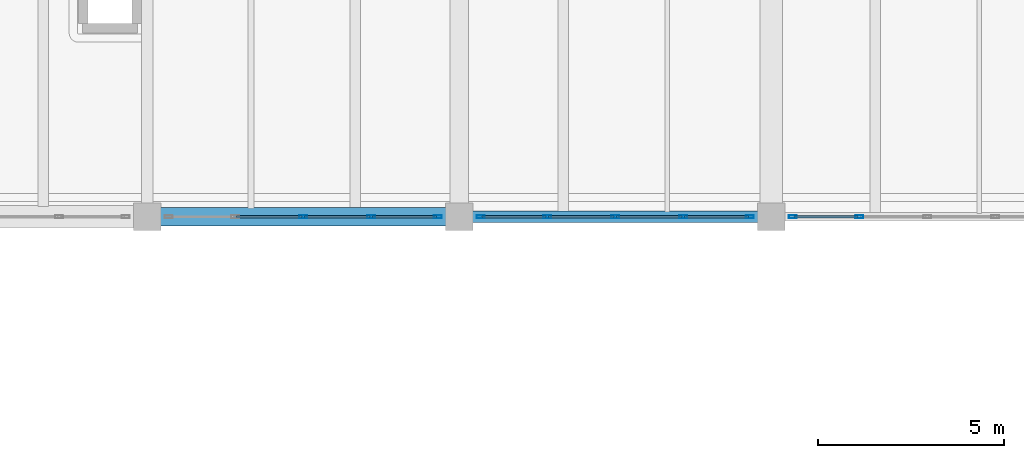
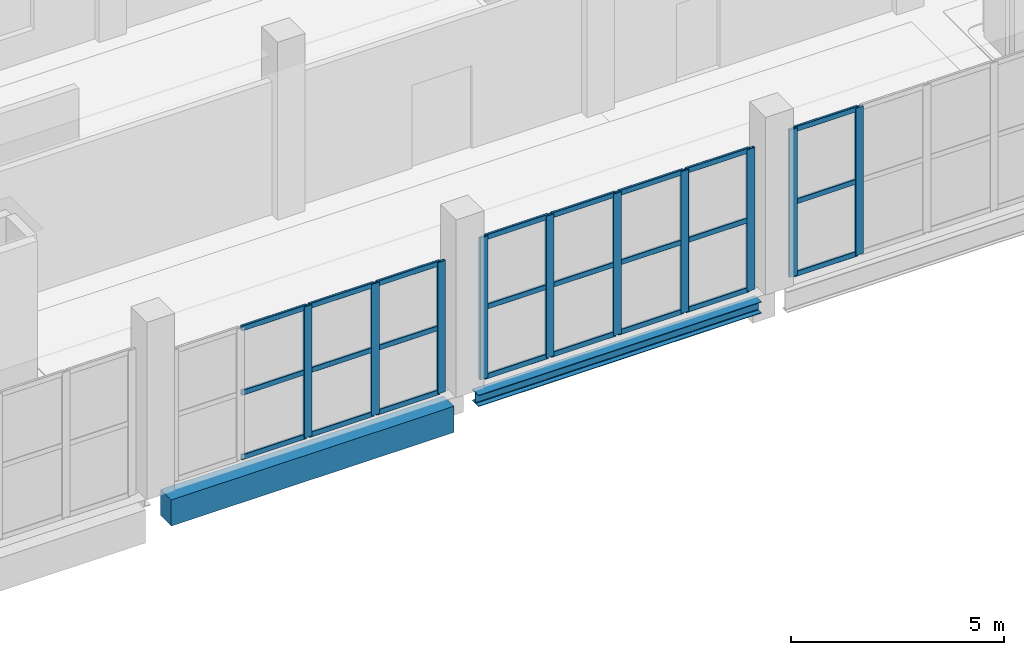
# One storey, part 20 of 66: 34 members, 2 beams, 3 elements without a shape of their own.
"""IFC4 building model written with IfcOpenShell, lengths in metres."""

from ifc_helpers import new_model, si_unit, direction, frame, origin, origin_2d, place, context, subcontext, project, spatial, rectangle, hollow_rectangle, i_section, extrude, material, layer, layer_set, material_profile, profile_set, type_object, element, aggregate, save


model = new_model("IFC4")

# Units and contexts
model_context = context("Model", 3, precision=1e-05, world=origin(), true_north=direction((0.0, 1.0)))
body_context = subcontext(model_context, "Body", "Model", "MODEL_VIEW")
ifc_project = project(units=[si_unit("LENGTHUNIT", "METRE"), si_unit("AREAUNIT", "SQUARE_METRE"), si_unit("VOLUMEUNIT", "CUBIC_METRE"), si_unit("PLANEANGLEUNIT", "RADIAN"), si_unit("MASSUNIT", "GRAM", prefix="KILO")], contexts=[model_context])

# Site, building, storey
site_placement = place(None, origin())
site = spatial("IfcSite", under=ifc_project, at=site_placement, CompositionType="ELEMENT")
building_placement = place(site_placement, origin())
building = spatial("IfcBuilding", under=site, at=building_placement, Name="Zulmaris Art Gallery", CompositionType="ELEMENT")
storey_placement = place(building_placement, frame((0.0, 0.0, 5.39990234375)))
storey = spatial("IfcBuildingStorey", under=building, at=storey_placement, Name="L01", CompositionType="ELEMENT", Elevation=5.39990234375)

# Beams
ifc_material_1 = material(Name="Steel S355J2", Category="steel")
ifc_material_profile_1 = material_profile(ifc_material_1, i_section(OverallWidth=0.300048828125, OverallDepth=0.330078125, WebThickness=0.009521484375, FlangeThickness=0.0166015625, FilletRadius=0.027099609375, at=origin_2d()), Name="HEA 340")
ifc_profile_set_1 = profile_set([ifc_material_profile_1], Name="Steel S355J2")
beam_type_1 = type_object("IfcBeamType", Name="BEAM-BM08", PredefinedType="BEAM", material=ifc_profile_set_1)
beam_1_placement = place(storey_placement, frame((108.360107421875, 58.800048828125, -0.494873046875), z_axis=(1.0, 0.0, 0.0), x_axis=(0.0, 1.0, 0.0)))
element("IfcBeam", 1, at=beam_1_placement, inside=storey, type_object=beam_type_1, Name="L01 X-girder (108.0..116.4, y=58.8)", PredefinedType="BEAM", context=body_context, shape_type="SweptSolid", body=[
    extrude(i_section(OverallWidth=0.300048828125, OverallDepth=0.330078125, WebThickness=0.009521484375, FlangeThickness=0.0166015625, FilletRadius=0.027099609375, at=origin_2d()), origin(), (0.0, 0.0, 1.0), 7.679931640625),
])
ifc_material_2 = material(Name="Concrete C40/50", Category="concrete")
ifc_material_profile_2 = material_profile(ifc_material_2, rectangle(XDim=0.5, YDim=0.75, at=origin_2d()), Name="RC 500x750")
ifc_profile_set_2 = profile_set([ifc_material_profile_2], Name="Concrete C40/50")
beam_type_2 = type_object("IfcBeamType", Name="BEAM-BM20", PredefinedType="BEAM", material=ifc_profile_set_2)
beam_2_placement = place(storey_placement, frame((99.9599609375, 58.800048828125, -0.704833984375), z_axis=(1.0, 0.0, 0.0), x_axis=(0.0, 1.0, 0.0)))
element("IfcBeam", 2, at=beam_2_placement, inside=storey, type_object=beam_type_2, Name="L01 X-girder (99.6..108.0, y=58.8)", PredefinedType="BEAM", context=body_context, shape_type="SweptSolid", body=[
    extrude(rectangle(XDim=0.5, YDim=0.75, at=origin_2d()), origin(), (0.0, 0.0, 1.0), 7.679931640625),
])

# Curtain wall, members
ifc_material_3 = material(Name="Unitised Low-E Gallery Curtain Wall", Category="aluminium")
ifc_layer = layer(ifc_material_3, 0.179931640625)
ifc_layer_set = layer_set([ifc_layer], Name="Unitised Low-E Gallery Curtain Wall")
curtain_wall_type = type_object("IfcCurtainWallType", Name="CW-CW01", PredefinedType="NOTDEFINED", material=ifc_layer_set)
curtain_wall_1_placement = place(storey_placement, origin())
curtain_wall_1 = element("IfcCurtainWall", 3, at=curtain_wall_1_placement, inside=storey, type_object=curtain_wall_type, Name="L01 curtain wall 95", PredefinedType="NOTDEFINED")
ifc_material_4 = material(Name="Anodised Bronze Aluminium", Category="aluminium")
ifc_material_profile_3 = material_profile(ifc_material_4, hollow_rectangle(XDim=0.074951171875, YDim=0.219970703125, WallThickness=0.0048828125, InnerFilletRadius=0.007568359375, OuterFilletRadius=0.012451171875, at=origin_2d()), Name="ALU 75x220x5")
ifc_profile_set_3 = profile_set([ifc_material_profile_3], Name="Anodised Bronze Aluminium")
member_type_1 = type_object("IfcMemberType", Name="CWMUL-02", PredefinedType="MULLION", material=ifc_profile_set_3)
member_1_placement = place(storey_placement, frame((103.800048828125, 58.800048828125, 0.0), z_axis=(0.0, 0.0, 1.0), x_axis=(0.0, 1.0, 0.0)))
member_1 = element("IfcMember", 4, at=member_1_placement, type_object=member_type_1, Name="CW01 mullion 3", PredefinedType="MULLION", context=body_context, shape_type="SweptSolid", body=[
    extrude(hollow_rectangle(XDim=0.074951171875, YDim=0.219970703125, WallThickness=0.0048828125, InnerFilletRadius=0.007568359375, OuterFilletRadius=0.012451171875, at=origin_2d()), origin(), (0.0, 0.0, 1.0), 3.77001953125),
])
member_2_placement = place(storey_placement, frame((105.6298828125, 58.800048828125, 0.0), z_axis=(0.0, 0.0, 1.0), x_axis=(0.0, 1.0, 0.0)))
member_2 = element("IfcMember", 5, at=member_2_placement, type_object=member_type_1, Name="CW01 mullion 4", PredefinedType="MULLION", context=body_context, shape_type="SweptSolid", body=[
    extrude(hollow_rectangle(XDim=0.074951171875, YDim=0.219970703125, WallThickness=0.0048828125, InnerFilletRadius=0.007568359375, OuterFilletRadius=0.012451171875, at=origin_2d()), origin(), (0.0, 0.0, 1.0), 3.77001953125),
])
member_3_placement = place(storey_placement, frame((107.422607421875, 58.800048828125, 0.0), z_axis=(0.0, 0.0, 1.0), x_axis=(0.0, 1.0, 0.0)))
member_3 = element("IfcMember", 6, at=member_3_placement, type_object=member_type_1, Name="CW01 mullion 5", PredefinedType="MULLION", context=body_context, shape_type="SweptSolid", body=[
    extrude(hollow_rectangle(XDim=0.074951171875, YDim=0.219970703125, WallThickness=0.0048828125, InnerFilletRadius=0.007568359375, OuterFilletRadius=0.012451171875, at=origin_2d()), origin(), (0.0, 0.0, 1.0), 3.77001953125),
])

curtain_wall_2_placement = place(storey_placement, origin())
curtain_wall_2 = element("IfcCurtainWall", 7, at=curtain_wall_2_placement, inside=storey, type_object=curtain_wall_type, Name="L01 curtain wall 96", PredefinedType="NOTDEFINED")
member_4_placement = place(storey_placement, frame((108.577392578125, 58.800048828125, 0.0), z_axis=(0.0, 0.0, 1.0), x_axis=(0.0, 1.0, 0.0)))
member_4 = element("IfcMember", 8, at=member_4_placement, type_object=member_type_1, Name="CW01 mullion 1", PredefinedType="MULLION", context=body_context, shape_type="SweptSolid", body=[
    extrude(hollow_rectangle(XDim=0.074951171875, YDim=0.219970703125, WallThickness=0.0048828125, InnerFilletRadius=0.007568359375, OuterFilletRadius=0.012451171875, at=origin_2d()), origin(), (0.0, 0.0, 1.0), 4.070068359375),
])
member_5_placement = place(storey_placement, frame((110.3701171875, 58.800048828125, 0.0), z_axis=(0.0, 0.0, 1.0), x_axis=(0.0, 1.0, 0.0)))
member_5 = element("IfcMember", 9, at=member_5_placement, type_object=member_type_1, Name="CW01 mullion 2", PredefinedType="MULLION", context=body_context, shape_type="SweptSolid", body=[
    extrude(hollow_rectangle(XDim=0.074951171875, YDim=0.219970703125, WallThickness=0.0048828125, InnerFilletRadius=0.007568359375, OuterFilletRadius=0.012451171875, at=origin_2d()), origin(), (0.0, 0.0, 1.0), 4.070068359375),
])
member_6_placement = place(storey_placement, frame((112.199951171875, 58.800048828125, 0.0), z_axis=(0.0, 0.0, 1.0), x_axis=(0.0, 1.0, 0.0)))
member_6 = element("IfcMember", 10, at=member_6_placement, type_object=member_type_1, Name="CW01 mullion 3", PredefinedType="MULLION", context=body_context, shape_type="SweptSolid", body=[
    extrude(hollow_rectangle(XDim=0.074951171875, YDim=0.219970703125, WallThickness=0.0048828125, InnerFilletRadius=0.007568359375, OuterFilletRadius=0.012451171875, at=origin_2d()), origin(), (0.0, 0.0, 1.0), 4.070068359375),
])
member_7_placement = place(storey_placement, frame((114.030029296875, 58.800048828125, 0.0), z_axis=(0.0, 0.0, 1.0), x_axis=(0.0, 1.0, 0.0)))
member_7 = element("IfcMember", 11, at=member_7_placement, type_object=member_type_1, Name="CW01 mullion 4", PredefinedType="MULLION", context=body_context, shape_type="SweptSolid", body=[
    extrude(hollow_rectangle(XDim=0.074951171875, YDim=0.219970703125, WallThickness=0.0048828125, InnerFilletRadius=0.007568359375, OuterFilletRadius=0.012451171875, at=origin_2d()), origin(), (0.0, 0.0, 1.0), 4.070068359375),
])
member_8_placement = place(storey_placement, frame((115.822509765625, 58.800048828125, 0.0), z_axis=(0.0, 0.0, 1.0), x_axis=(0.0, 1.0, 0.0)))
member_8 = element("IfcMember", 12, at=member_8_placement, type_object=member_type_1, Name="CW01 mullion 5", PredefinedType="MULLION", context=body_context, shape_type="SweptSolid", body=[
    extrude(hollow_rectangle(XDim=0.074951171875, YDim=0.219970703125, WallThickness=0.0048828125, InnerFilletRadius=0.007568359375, OuterFilletRadius=0.012451171875, at=origin_2d()), origin(), (0.0, 0.0, 1.0), 4.070068359375),
])

curtain_wall_3_placement = place(storey_placement, origin())
curtain_wall_3 = element("IfcCurtainWall", 13, at=curtain_wall_3_placement, inside=storey, type_object=curtain_wall_type, Name="L01 curtain wall 97", PredefinedType="NOTDEFINED")
member_9_placement = place(storey_placement, frame((116.9775390625, 58.800048828125, 0.0), z_axis=(0.0, 0.0, 1.0), x_axis=(0.0, 1.0, 0.0)))
member_9 = element("IfcMember", 14, at=member_9_placement, type_object=member_type_1, Name="CW01 mullion 1", PredefinedType="MULLION", context=body_context, shape_type="SweptSolid", body=[
    extrude(hollow_rectangle(XDim=0.074951171875, YDim=0.219970703125, WallThickness=0.0048828125, InnerFilletRadius=0.007568359375, OuterFilletRadius=0.012451171875, at=origin_2d()), origin(), (0.0, 0.0, 1.0), 4.22998046875),
])
member_10_placement = place(storey_placement, frame((118.77001953125, 58.800048828125, 0.0), z_axis=(0.0, 0.0, 1.0), x_axis=(0.0, 1.0, 0.0)))
member_10 = element("IfcMember", 15, at=member_10_placement, type_object=member_type_1, Name="CW01 mullion 2", PredefinedType="MULLION", context=body_context, shape_type="SweptSolid", body=[
    extrude(hollow_rectangle(XDim=0.074951171875, YDim=0.219970703125, WallThickness=0.0048828125, InnerFilletRadius=0.007568359375, OuterFilletRadius=0.012451171875, at=origin_2d()), origin(), (0.0, 0.0, 1.0), 4.22998046875),
])

# Member
ifc_material_profile_4 = material_profile(ifc_material_4, hollow_rectangle(XDim=0.06494140625, YDim=0.14990234375, WallThickness=0.00390625, InnerFilletRadius=0.006103515625, OuterFilletRadius=0.010009765625, at=origin_2d()), Name="ALU 65x150x4")
ifc_profile_set_4 = profile_set([ifc_material_profile_4], Name="Anodised Bronze Aluminium")
member_type_2 = type_object("IfcMemberType", Name="CWTRN-01", PredefinedType="USERDEFINED", material=ifc_profile_set_4)
member_11_placement = place(storey_placement, frame((102.007568359375, 58.800048828125, 0.03759765625), z_axis=(1.0, 0.0, 0.0), x_axis=(0.0, 1.0, 0.0)))
member_11 = element("IfcMember", 16, at=member_11_placement, type_object=member_type_2, Name="CW01 transom 2.1", ObjectType="TRANSOM", PredefinedType="USERDEFINED", context=body_context, shape_type="SweptSolid", body=[
    extrude(hollow_rectangle(XDim=0.06494140625, YDim=0.14990234375, WallThickness=0.00390625, InnerFilletRadius=0.006103515625, OuterFilletRadius=0.010009765625, at=origin_2d()), origin(), (0.0, 0.0, 1.0), 1.7548828125),
])

member_12_placement = place(storey_placement, frame((102.007568359375, 58.800048828125, 1.885009765625), z_axis=(1.0, 0.0, 0.0), x_axis=(0.0, 1.0, 0.0)))
member_12 = element("IfcMember", 17, at=member_12_placement, type_object=member_type_2, Name="CW01 transom 2.2", ObjectType="TRANSOM", PredefinedType="USERDEFINED", context=body_context, shape_type="SweptSolid", body=[
    extrude(hollow_rectangle(XDim=0.06494140625, YDim=0.14990234375, WallThickness=0.00390625, InnerFilletRadius=0.006103515625, OuterFilletRadius=0.010009765625, at=origin_2d()), origin(), (0.0, 0.0, 1.0), 1.7548828125),
])

member_13_placement = place(storey_placement, frame((102.007568359375, 58.800048828125, 3.732666015625), z_axis=(1.0, 0.0, 0.0), x_axis=(0.0, 1.0, 0.0)))
member_13 = element("IfcMember", 18, at=member_13_placement, type_object=member_type_2, Name="CW01 transom 2.3", ObjectType="TRANSOM", PredefinedType="USERDEFINED", context=body_context, shape_type="SweptSolid", body=[
    extrude(hollow_rectangle(XDim=0.06494140625, YDim=0.14990234375, WallThickness=0.00390625, InnerFilletRadius=0.006103515625, OuterFilletRadius=0.010009765625, at=origin_2d()), origin(), (0.0, 0.0, 1.0), 1.7548828125),
])

member_14_placement = place(storey_placement, frame((103.83740234375, 58.800048828125, 0.03759765625), z_axis=(1.0, 0.0, 0.0), x_axis=(0.0, 1.0, 0.0)))
member_14 = element("IfcMember", 19, at=member_14_placement, type_object=member_type_2, Name="CW01 transom 3.1", ObjectType="TRANSOM", PredefinedType="USERDEFINED", context=body_context, shape_type="SweptSolid", body=[
    extrude(hollow_rectangle(XDim=0.06494140625, YDim=0.14990234375, WallThickness=0.00390625, InnerFilletRadius=0.006103515625, OuterFilletRadius=0.010009765625, at=origin_2d()), origin(), (0.0, 0.0, 1.0), 1.755126953125),
])

member_15_placement = place(storey_placement, frame((103.83740234375, 58.800048828125, 1.885009765625), z_axis=(1.0, 0.0, 0.0), x_axis=(0.0, 1.0, 0.0)))
member_15 = element("IfcMember", 20, at=member_15_placement, type_object=member_type_2, Name="CW01 transom 3.2", ObjectType="TRANSOM", PredefinedType="USERDEFINED", context=body_context, shape_type="SweptSolid", body=[
    extrude(hollow_rectangle(XDim=0.06494140625, YDim=0.14990234375, WallThickness=0.00390625, InnerFilletRadius=0.006103515625, OuterFilletRadius=0.010009765625, at=origin_2d()), origin(), (0.0, 0.0, 1.0), 1.755126953125),
])

member_16_placement = place(storey_placement, frame((103.83740234375, 58.800048828125, 3.732666015625), z_axis=(1.0, 0.0, 0.0), x_axis=(0.0, 1.0, 0.0)))
member_16 = element("IfcMember", 21, at=member_16_placement, type_object=member_type_2, Name="CW01 transom 3.3", ObjectType="TRANSOM", PredefinedType="USERDEFINED", context=body_context, shape_type="SweptSolid", body=[
    extrude(hollow_rectangle(XDim=0.06494140625, YDim=0.14990234375, WallThickness=0.00390625, InnerFilletRadius=0.006103515625, OuterFilletRadius=0.010009765625, at=origin_2d()), origin(), (0.0, 0.0, 1.0), 1.755126953125),
])

member_17_placement = place(storey_placement, frame((105.66748046875, 58.800048828125, 0.03759765625), z_axis=(1.0, 0.0, 0.0), x_axis=(0.0, 1.0, 0.0)))
member_17 = element("IfcMember", 22, at=member_17_placement, type_object=member_type_2, Name="CW01 transom 4.1", ObjectType="TRANSOM", PredefinedType="USERDEFINED", context=body_context, shape_type="SweptSolid", body=[
    extrude(hollow_rectangle(XDim=0.06494140625, YDim=0.14990234375, WallThickness=0.00390625, InnerFilletRadius=0.006103515625, OuterFilletRadius=0.010009765625, at=origin_2d()), origin(), (0.0, 0.0, 1.0), 1.717529296875),
])

member_18_placement = place(storey_placement, frame((105.66748046875, 58.800048828125, 1.885009765625), z_axis=(1.0, 0.0, 0.0), x_axis=(0.0, 1.0, 0.0)))
member_18 = element("IfcMember", 23, at=member_18_placement, type_object=member_type_2, Name="CW01 transom 4.2", ObjectType="TRANSOM", PredefinedType="USERDEFINED", context=body_context, shape_type="SweptSolid", body=[
    extrude(hollow_rectangle(XDim=0.06494140625, YDim=0.14990234375, WallThickness=0.00390625, InnerFilletRadius=0.006103515625, OuterFilletRadius=0.010009765625, at=origin_2d()), origin(), (0.0, 0.0, 1.0), 1.717529296875),
])

member_19_placement = place(storey_placement, frame((105.66748046875, 58.800048828125, 3.732666015625), z_axis=(1.0, 0.0, 0.0), x_axis=(0.0, 1.0, 0.0)))
member_19 = element("IfcMember", 24, at=member_19_placement, type_object=member_type_2, Name="CW01 transom 4.3", ObjectType="TRANSOM", PredefinedType="USERDEFINED", context=body_context, shape_type="SweptSolid", body=[
    extrude(hollow_rectangle(XDim=0.06494140625, YDim=0.14990234375, WallThickness=0.00390625, InnerFilletRadius=0.006103515625, OuterFilletRadius=0.010009765625, at=origin_2d()), origin(), (0.0, 0.0, 1.0), 1.717529296875),
])

aggregate(curtain_wall_1, [member_1, member_2, member_3, member_11, member_12, member_13, member_14, member_15, member_16, member_17, member_18, member_19])

member_20_placement = place(storey_placement, frame((108.614990234375, 58.800048828125, 0.03759765625), z_axis=(1.0, 0.0, 0.0), x_axis=(0.0, 1.0, 0.0)))
member_20 = element("IfcMember", 25, at=member_20_placement, type_object=member_type_2, Name="CW01 transom 1.1", ObjectType="TRANSOM", PredefinedType="USERDEFINED", context=body_context, shape_type="SweptSolid", body=[
    extrude(hollow_rectangle(XDim=0.06494140625, YDim=0.14990234375, WallThickness=0.00390625, InnerFilletRadius=0.006103515625, OuterFilletRadius=0.010009765625, at=origin_2d()), origin(), (0.0, 0.0, 1.0), 1.717529296875),
])

member_21_placement = place(storey_placement, frame((108.614990234375, 58.800048828125, 2.03515625), z_axis=(1.0, 0.0, 0.0), x_axis=(0.0, 1.0, 0.0)))
member_21 = element("IfcMember", 26, at=member_21_placement, type_object=member_type_2, Name="CW01 transom 1.2", ObjectType="TRANSOM", PredefinedType="USERDEFINED", context=body_context, shape_type="SweptSolid", body=[
    extrude(hollow_rectangle(XDim=0.06494140625, YDim=0.14990234375, WallThickness=0.00390625, InnerFilletRadius=0.006103515625, OuterFilletRadius=0.010009765625, at=origin_2d()), origin(), (0.0, 0.0, 1.0), 1.717529296875),
])

member_22_placement = place(storey_placement, frame((108.614990234375, 58.800048828125, 4.03271484375), z_axis=(1.0, 0.0, 0.0), x_axis=(0.0, 1.0, 0.0)))
member_22 = element("IfcMember", 27, at=member_22_placement, type_object=member_type_2, Name="CW01 transom 1.3", ObjectType="TRANSOM", PredefinedType="USERDEFINED", context=body_context, shape_type="SweptSolid", body=[
    extrude(hollow_rectangle(XDim=0.06494140625, YDim=0.14990234375, WallThickness=0.00390625, InnerFilletRadius=0.006103515625, OuterFilletRadius=0.010009765625, at=origin_2d()), origin(), (0.0, 0.0, 1.0), 1.717529296875),
])

member_23_placement = place(storey_placement, frame((110.407470703125, 58.800048828125, 0.03759765625), z_axis=(1.0, 0.0, 0.0), x_axis=(0.0, 1.0, 0.0)))
member_23 = element("IfcMember", 28, at=member_23_placement, type_object=member_type_2, Name="CW01 transom 2.1", ObjectType="TRANSOM", PredefinedType="USERDEFINED", context=body_context, shape_type="SweptSolid", body=[
    extrude(hollow_rectangle(XDim=0.06494140625, YDim=0.14990234375, WallThickness=0.00390625, InnerFilletRadius=0.006103515625, OuterFilletRadius=0.010009765625, at=origin_2d()), origin(), (0.0, 0.0, 1.0), 1.755126953125),
])

member_24_placement = place(storey_placement, frame((110.407470703125, 58.800048828125, 2.03515625), z_axis=(1.0, 0.0, 0.0), x_axis=(0.0, 1.0, 0.0)))
member_24 = element("IfcMember", 29, at=member_24_placement, type_object=member_type_2, Name="CW01 transom 2.2", ObjectType="TRANSOM", PredefinedType="USERDEFINED", context=body_context, shape_type="SweptSolid", body=[
    extrude(hollow_rectangle(XDim=0.06494140625, YDim=0.14990234375, WallThickness=0.00390625, InnerFilletRadius=0.006103515625, OuterFilletRadius=0.010009765625, at=origin_2d()), origin(), (0.0, 0.0, 1.0), 1.755126953125),
])

member_25_placement = place(storey_placement, frame((110.407470703125, 58.800048828125, 4.03271484375), z_axis=(1.0, 0.0, 0.0), x_axis=(0.0, 1.0, 0.0)))
member_25 = element("IfcMember", 30, at=member_25_placement, type_object=member_type_2, Name="CW01 transom 2.3", ObjectType="TRANSOM", PredefinedType="USERDEFINED", context=body_context, shape_type="SweptSolid", body=[
    extrude(hollow_rectangle(XDim=0.06494140625, YDim=0.14990234375, WallThickness=0.00390625, InnerFilletRadius=0.006103515625, OuterFilletRadius=0.010009765625, at=origin_2d()), origin(), (0.0, 0.0, 1.0), 1.755126953125),
])

member_26_placement = place(storey_placement, frame((112.237548828125, 58.800048828125, 0.03759765625), z_axis=(1.0, 0.0, 0.0), x_axis=(0.0, 1.0, 0.0)))
member_26 = element("IfcMember", 31, at=member_26_placement, type_object=member_type_2, Name="CW01 transom 3.1", ObjectType="TRANSOM", PredefinedType="USERDEFINED", context=body_context, shape_type="SweptSolid", body=[
    extrude(hollow_rectangle(XDim=0.06494140625, YDim=0.14990234375, WallThickness=0.00390625, InnerFilletRadius=0.006103515625, OuterFilletRadius=0.010009765625, at=origin_2d()), origin(), (0.0, 0.0, 1.0), 1.7548828125),
])

member_27_placement = place(storey_placement, frame((112.237548828125, 58.800048828125, 2.03515625), z_axis=(1.0, 0.0, 0.0), x_axis=(0.0, 1.0, 0.0)))
member_27 = element("IfcMember", 32, at=member_27_placement, type_object=member_type_2, Name="CW01 transom 3.2", ObjectType="TRANSOM", PredefinedType="USERDEFINED", context=body_context, shape_type="SweptSolid", body=[
    extrude(hollow_rectangle(XDim=0.06494140625, YDim=0.14990234375, WallThickness=0.00390625, InnerFilletRadius=0.006103515625, OuterFilletRadius=0.010009765625, at=origin_2d()), origin(), (0.0, 0.0, 1.0), 1.7548828125),
])

member_28_placement = place(storey_placement, frame((112.237548828125, 58.800048828125, 4.03271484375), z_axis=(1.0, 0.0, 0.0), x_axis=(0.0, 1.0, 0.0)))
member_28 = element("IfcMember", 33, at=member_28_placement, type_object=member_type_2, Name="CW01 transom 3.3", ObjectType="TRANSOM", PredefinedType="USERDEFINED", context=body_context, shape_type="SweptSolid", body=[
    extrude(hollow_rectangle(XDim=0.06494140625, YDim=0.14990234375, WallThickness=0.00390625, InnerFilletRadius=0.006103515625, OuterFilletRadius=0.010009765625, at=origin_2d()), origin(), (0.0, 0.0, 1.0), 1.7548828125),
])

member_29_placement = place(storey_placement, frame((114.0673828125, 58.800048828125, 0.03759765625), z_axis=(1.0, 0.0, 0.0), x_axis=(0.0, 1.0, 0.0)))
member_29 = element("IfcMember", 34, at=member_29_placement, type_object=member_type_2, Name="CW01 transom 4.1", ObjectType="TRANSOM", PredefinedType="USERDEFINED", context=body_context, shape_type="SweptSolid", body=[
    extrude(hollow_rectangle(XDim=0.06494140625, YDim=0.14990234375, WallThickness=0.00390625, InnerFilletRadius=0.006103515625, OuterFilletRadius=0.010009765625, at=origin_2d()), origin(), (0.0, 0.0, 1.0), 1.717529296875),
])

member_30_placement = place(storey_placement, frame((114.0673828125, 58.800048828125, 2.03515625), z_axis=(1.0, 0.0, 0.0), x_axis=(0.0, 1.0, 0.0)))
member_30 = element("IfcMember", 35, at=member_30_placement, type_object=member_type_2, Name="CW01 transom 4.2", ObjectType="TRANSOM", PredefinedType="USERDEFINED", context=body_context, shape_type="SweptSolid", body=[
    extrude(hollow_rectangle(XDim=0.06494140625, YDim=0.14990234375, WallThickness=0.00390625, InnerFilletRadius=0.006103515625, OuterFilletRadius=0.010009765625, at=origin_2d()), origin(), (0.0, 0.0, 1.0), 1.717529296875),
])

member_31_placement = place(storey_placement, frame((114.0673828125, 58.800048828125, 4.03271484375), z_axis=(1.0, 0.0, 0.0), x_axis=(0.0, 1.0, 0.0)))
member_31 = element("IfcMember", 36, at=member_31_placement, type_object=member_type_2, Name="CW01 transom 4.3", ObjectType="TRANSOM", PredefinedType="USERDEFINED", context=body_context, shape_type="SweptSolid", body=[
    extrude(hollow_rectangle(XDim=0.06494140625, YDim=0.14990234375, WallThickness=0.00390625, InnerFilletRadius=0.006103515625, OuterFilletRadius=0.010009765625, at=origin_2d()), origin(), (0.0, 0.0, 1.0), 1.717529296875),
])

aggregate(curtain_wall_2, [member_4, member_5, member_6, member_7, member_8, member_20, member_21, member_22, member_23, member_24, member_25, member_26, member_27, member_28, member_29, member_30, member_31])

member_32_placement = place(storey_placement, frame((117.014892578125, 58.800048828125, 0.03759765625), z_axis=(1.0, 0.0, 0.0), x_axis=(0.0, 1.0, 0.0)))
member_32 = element("IfcMember", 37, at=member_32_placement, type_object=member_type_2, Name="CW01 transom 1.1", ObjectType="TRANSOM", PredefinedType="USERDEFINED", context=body_context, shape_type="SweptSolid", body=[
    extrude(hollow_rectangle(XDim=0.06494140625, YDim=0.14990234375, WallThickness=0.00390625, InnerFilletRadius=0.006103515625, OuterFilletRadius=0.010009765625, at=origin_2d()), origin(), (0.0, 0.0, 1.0), 1.717529296875),
])

member_33_placement = place(storey_placement, frame((117.014892578125, 58.800048828125, 2.114990234375), z_axis=(1.0, 0.0, 0.0), x_axis=(0.0, 1.0, 0.0)))
member_33 = element("IfcMember", 38, at=member_33_placement, type_object=member_type_2, Name="CW01 transom 1.2", ObjectType="TRANSOM", PredefinedType="USERDEFINED", context=body_context, shape_type="SweptSolid", body=[
    extrude(hollow_rectangle(XDim=0.06494140625, YDim=0.14990234375, WallThickness=0.00390625, InnerFilletRadius=0.006103515625, OuterFilletRadius=0.010009765625, at=origin_2d()), origin(), (0.0, 0.0, 1.0), 1.717529296875),
])

member_34_placement = place(storey_placement, frame((117.014892578125, 58.800048828125, 4.192626953125), z_axis=(1.0, 0.0, 0.0), x_axis=(0.0, 1.0, 0.0)))
member_34 = element("IfcMember", 39, at=member_34_placement, type_object=member_type_2, Name="CW01 transom 1.3", ObjectType="TRANSOM", PredefinedType="USERDEFINED", context=body_context, shape_type="SweptSolid", body=[
    extrude(hollow_rectangle(XDim=0.06494140625, YDim=0.14990234375, WallThickness=0.00390625, InnerFilletRadius=0.006103515625, OuterFilletRadius=0.010009765625, at=origin_2d()), origin(), (0.0, 0.0, 1.0), 1.717529296875),
])

aggregate(curtain_wall_3, [member_9, member_10, member_32, member_33, member_34])

save(model, "model.ifc")
